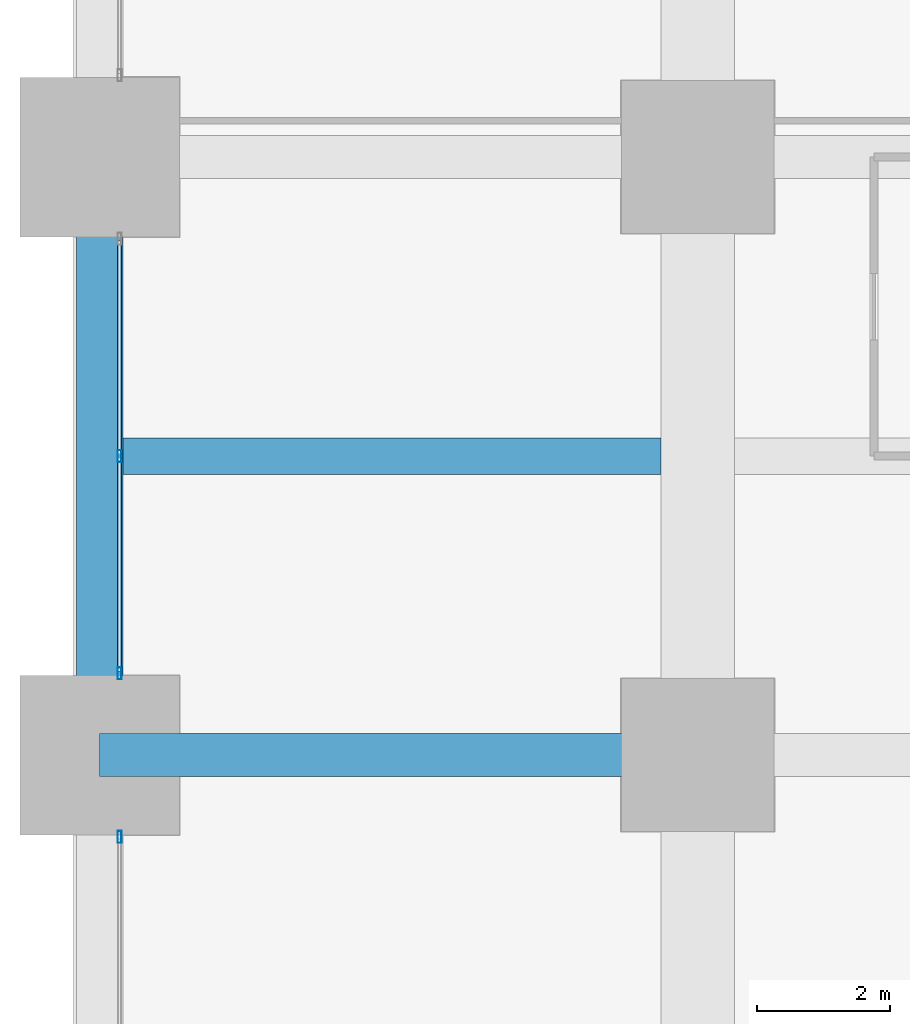
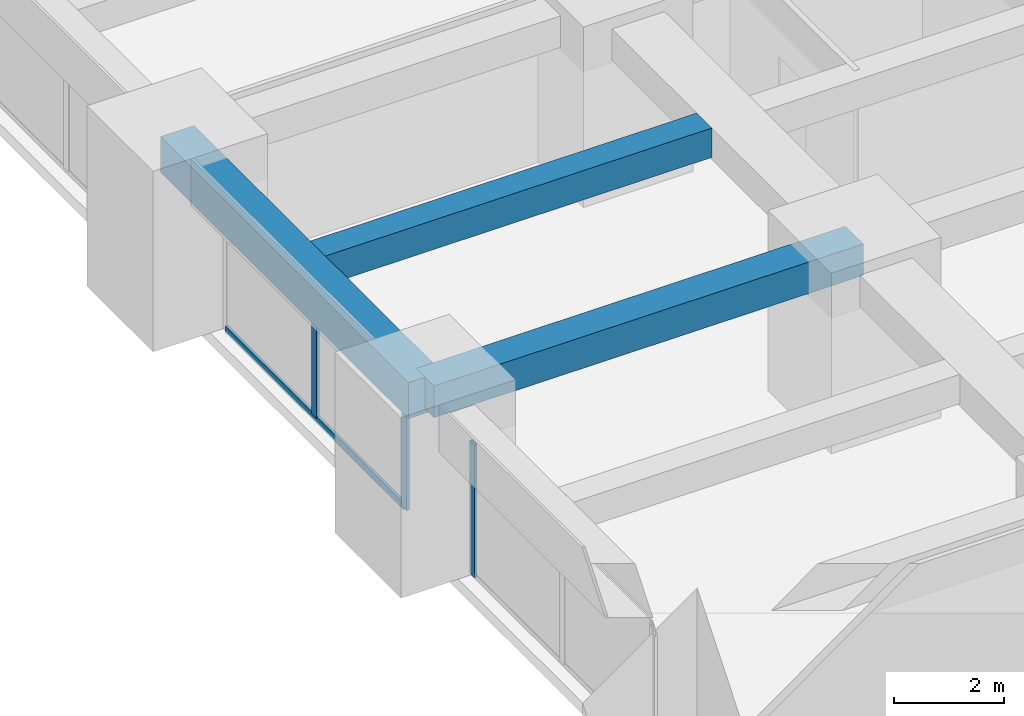
# One storey, part 11 of 45: 4 members, 3 beams, 2 elements without a shape of their own.
"""IFC4 building model written with IfcOpenShell, lengths in metres."""

import ifcopenshell
import ifcopenshell.guid

model = None  # the IFC model being written
_history = None  # IfcOwnerHistory: only IFC2X3 demands one
_inside = {}  # id of a spatial element -> (the spatial element, [elements in it])
_under = {}  # id of a project, library or spatial element -> (it, [spatial elements below it])
_declared = {}  # id of a project -> (the project, [libraries it declares])
_typed = {}  # id of a type object -> (the type object, [elements of that type])
_made_of = {}  # id of a material, layer set ... -> (it, [elements and type objects made of it])


def new_model(schema):
    """Start an empty IFC model of exactly this schema.

    Asked for "IFC4X3", IfcOpenShell would pick the latest addendum, in which some entities
    have other attributes; the version numbers below select the first issue.
    IFC2X3 requires an IfcOwnerHistory on every rooted entity: one is made here for all.
    """
    global model, _history
    if schema == "IFC4X3":
        model = ifcopenshell.file(schema_version=(4, 3, 0, 0))
    else:
        model = ifcopenshell.file(schema=schema)
    _inside.clear()
    _under.clear()
    _declared.clear()
    _typed.clear()
    _made_of.clear()
    _history = None
    if model.schema == "IFC2X3":
        org = make("IfcOrganization", Name="unknown")
        user = make(
            "IfcPersonAndOrganization",
            ThePerson=make("IfcPerson", FamilyName="unknown"),
            TheOrganization=org,
        )
        app = make(
            "IfcApplication",
            ApplicationDeveloper=org,
            Version="unknown",
            ApplicationFullName="unknown",
            ApplicationIdentifier="unknown",
        )
        _history = make(
            "IfcOwnerHistory",
            OwningUser=user,
            OwningApplication=app,
            ChangeAction="ADDED",
            CreationDate=0,
        )
    return model


def make(cls, **values):
    """One entity of the class cls with the attributes given. An attribute that is None is left unset."""
    return model.create_entity(
        cls, **{name: value for name, value in values.items() if value is not None}
    )


def rooted(cls, **values):
    """An entity with a GlobalId (a new one), such as an element, a storey or a relation."""
    return make(cls, GlobalId=ifcopenshell.guid.new(), OwnerHistory=_history, **values)


def si_unit(unit_type, name, prefix=None):
    """IfcSIUnit, for example si_unit("LENGTHUNIT", "METRE", prefix="MILLI")."""
    return make("IfcSIUnit", UnitType=unit_type, Prefix=prefix, Name=name)


def assignment(units):
    """IfcUnitAssignment: the units of a project."""
    return None if units is None else make("IfcUnitAssignment", Units=units)


def point(xyz):
    """IfcCartesianPoint."""
    return None if xyz is None else make("IfcCartesianPoint", Coordinates=xyz)


def direction(xyz):
    """IfcDirection."""
    return None if xyz is None else make("IfcDirection", DirectionRatios=xyz)


def frame(location, z_axis=None, x_axis=None):
    """IfcAxis2Placement3D, a coordinate frame: its origin and axes. An axis left out is left unset."""
    return make(
        "IfcAxis2Placement3D",
        Location=point(location),
        Axis=direction(z_axis),
        RefDirection=direction(x_axis),
    )


def frame_2d(location, x_axis=None):
    """IfcAxis2Placement2D, a coordinate frame in the plane: its origin and x axis."""
    return make(
        "IfcAxis2Placement2D", Location=point(location), RefDirection=direction(x_axis)
    )


def origin():
    """The frame at (0, 0, 0) with its axes left unset."""
    return frame((0.0, 0.0, 0.0))


def origin_2d():
    """The frame at (0, 0) in the plane with its x axis left unset."""
    return frame_2d((0.0, 0.0))


def place(relative_to, where):
    """IfcLocalPlacement: puts the frame where relative to a parent placement (None: the world)."""
    return make(
        "IfcLocalPlacement", PlacementRelTo=relative_to, RelativePlacement=where
    )


def context(
    kind, dimensions, precision=None, world=None, true_north=None, identifier=None
):
    """IfcGeometricRepresentationContext, for example the 3D "Model" context."""
    return make(
        "IfcGeometricRepresentationContext",
        ContextIdentifier=identifier,
        ContextType=kind,
        CoordinateSpaceDimension=dimensions,
        Precision=precision,
        WorldCoordinateSystem=world,
        TrueNorth=true_north,
    )


def subcontext(parent, identifier, kind, view, scale=None):
    """IfcGeometricRepresentationSubContext, for example "Body" below "Model"."""
    return make(
        "IfcGeometricRepresentationSubContext",
        ContextIdentifier=identifier,
        ContextType=kind,
        ParentContext=parent,
        TargetScale=scale,
        TargetView=view,
    )


def project(units=None, contexts=None):
    """IfcProject with its units and contexts."""
    return rooted(
        "IfcProject",
        Name="project",
        RepresentationContexts=contexts,
        UnitsInContext=assignment(units),
    )


def spatial(cls, under=None, at=None, **own):
    """A site, building, storey or space (cls), placed at a placement, below another one or the project."""
    s = rooted(cls, ObjectPlacement=at, **own)
    if under is not None:
        _under.setdefault(under.id(), (under, []))[1].append(s)
    return s


def profile(cls, at=None, kind="AREA", **sizes):
    """A parametric profile (cls). Its sizes go by their IFC names, for example OverallWidth=200.0."""
    return make(cls, ProfileType=kind, Position=at, **sizes)


def rectangle(**sizes):
    """IfcRectangleProfileDef."""
    return profile("IfcRectangleProfileDef", **sizes)


def hollow_rectangle(**sizes):
    """IfcRectangleHollowProfileDef."""
    return profile("IfcRectangleHollowProfileDef", **sizes)


def extrude(swept, where, along, depth):
    """IfcExtrudedAreaSolid: the profile swept, set in the frame where, extruded along a direction by depth."""
    return make(
        "IfcExtrudedAreaSolid",
        SweptArea=swept,
        Position=where,
        ExtrudedDirection=direction(along),
        Depth=depth,
    )


def shape(context_of_items, identifier, shape_type, items):
    """IfcShapeRepresentation: the items that make up one representation, for example the "Body"."""
    return make(
        "IfcShapeRepresentation",
        ContextOfItems=context_of_items,
        RepresentationIdentifier=identifier,
        RepresentationType=shape_type,
        Items=items,
    )


def material(Name=None, Category=None):
    """IfcMaterial."""
    return make("IfcMaterial", Name=Name, Category=Category)


def material_profile(
    of_material, cross_section, Name=None, Category=None, Priority=None
):
    """IfcMaterialProfile: a cross section and its material."""
    return make(
        "IfcMaterialProfile",
        Name=Name,
        Material=of_material,
        Profile=cross_section,
        Priority=Priority,
        Category=Category,
    )


def profile_set(profiles, Name=None, composite=None):
    """IfcMaterialProfileSet."""
    return make(
        "IfcMaterialProfileSet",
        Name=Name,
        MaterialProfiles=profiles,
        CompositeProfile=composite,
    )


def made_of(thing, what):
    """Note that an element or type object is made of a material, layer set ...; save() writes the relation."""
    if what is not None:
        _made_of.setdefault(what.id(), (what, []))[1].append(thing)
    return thing


def type_object(cls, material=None, **own):
    """A type object (cls), such as IfcWallType, which elements share."""
    return made_of(rooted(cls, **own), material)


def element(
    cls,
    number,
    at=None,
    inside=None,
    cuts=None,
    type_object=None,
    material=None,
    context=None,
    identifier="Body",
    shape_type=None,
    held_by="IfcProductDefinitionShape",
    body=None,
    shapes=None,
    **own,
):
    """One element of the class cls, such as IfcWall. Its Tag is "e" and its number.

    at: its placement. inside: the storey or other place that contains it. cuts: it is an
    opening in that element (IfcRelVoidsElement). A single representation is given by context,
    identifier, shape_type and body (its items); several are given by shapes. held_by: the class
    of the entity that holds the representations. save() writes the other relations.
    """
    e = rooted(cls, Tag="e%d" % number, ObjectPlacement=at, **own)
    if body is not None:
        shapes = [shape(context, identifier, shape_type, body)]
    if shapes is not None:
        e.Representation = make(held_by, Representations=shapes)
    if inside is not None:
        _inside.setdefault(inside.id(), (inside, []))[1].append(e)
    if cuts is not None:
        rooted(
            "IfcRelVoidsElement", RelatingBuildingElement=cuts, RelatedOpeningElement=e
        )
    if type_object is not None:
        _typed.setdefault(type_object.id(), (type_object, []))[1].append(e)
    return made_of(e, material)


def aggregate(whole, parts):
    """IfcRelAggregates: a whole, such as a stair, and the parts it consists of."""
    return rooted("IfcRelAggregates", RelatingObject=whole, RelatedObjects=parts)


def save(model, path):
    """Write the relations noted so far, then the file.

    IfcRelAggregates (storeys below a building ...), IfcRelContainedInSpatialStructure (elements
    in a storey), IfcRelDefinesByType, IfcRelAssociatesMaterial and IfcRelDeclares: one each for
    every whole, place, type object, material and project.
    """
    for whole, parts in _under.values():
        aggregate(whole, parts)
    for where, things in _inside.values():
        rooted(
            "IfcRelContainedInSpatialStructure",
            RelatedElements=things,
            RelatingStructure=where,
        )
    for kind, things in _typed.values():
        rooted("IfcRelDefinesByType", RelatedObjects=things, RelatingType=kind)
    for what, things in _made_of.values():
        rooted("IfcRelAssociatesMaterial", RelatedObjects=things, RelatingMaterial=what)
    for by, libraries in _declared.values():
        rooted("IfcRelDeclares", RelatingContext=by, RelatedDefinitions=libraries)
    model.write(path)


model = new_model("IFC4")

# Units and contexts
model_context = context("Model", 3, precision=1e-05, world=origin(), true_north=direction((0.0, 1.0)))
body_context = subcontext(model_context, "Body", "Model", "MODEL_VIEW")
ifc_project = project(units=[si_unit("LENGTHUNIT", "METRE"), si_unit("AREAUNIT", "SQUARE_METRE"), si_unit("VOLUMEUNIT", "CUBIC_METRE"), si_unit("PLANEANGLEUNIT", "RADIAN"), si_unit("MASSUNIT", "GRAM", prefix="KILO")], contexts=[model_context])

# Site, building, storey
site_placement = place(None, origin())
site = spatial("IfcSite", under=ifc_project, at=site_placement, CompositionType="ELEMENT")
building_placement = place(site_placement, origin())
building = spatial("IfcBuilding", under=site, at=building_placement, Name="Zorevar Civic Tower", CompositionType="ELEMENT")
storey_placement = place(building_placement, frame((0.0, 0.0, 47.800048828125)))
storey = spatial("IfcBuildingStorey", under=building, at=storey_placement, Name="L11", CompositionType="ELEMENT", Elevation=47.800048828125)

# Beams
ifc_material_1 = material(Name="Concrete C50/60", Category="concrete")
ifc_material_profile_1 = material_profile(ifc_material_1, rectangle(XDim=0.550048828125, YDim=0.64990234375, at=origin_2d()), Name="RC 550x650")
ifc_profile_set_1 = profile_set([ifc_material_profile_1], Name="Concrete C50/60")
beam_type_1 = type_object("IfcBeamType", Name="Beam RC 550x650", PredefinedType="BEAM", material=ifc_profile_set_1)
beam_1_placement = place(storey_placement, frame((0.35009765625, 31.5, 3.425048828125), z_axis=(1.0, 0.0, 0.0), x_axis=(0.0, 1.0, 0.0)))
element("IfcBeam", 1, at=beam_1_placement, inside=storey, type_object=beam_type_1, Name="Secondary beam L12", PredefinedType="BEAM", context=body_context, shape_type="SweptSolid", body=[
    extrude(rectangle(XDim=0.550048828125, YDim=0.64990234375, at=origin_2d()), origin(), (0.0, 0.0, 1.0), 8.099853515625),
])
ifc_material_2 = material(Name="Concrete C50/60", Category="concrete")
ifc_material_profile_2 = material_profile(ifc_material_2, rectangle(XDim=0.64990234375, YDim=0.699951171875, at=origin_2d()), Name="RC 650x700")
ifc_profile_set_2 = profile_set([ifc_material_profile_2], Name="Concrete C50/60")
beam_type_2 = type_object("IfcBeamType", Name="Beam RC 650x700", PredefinedType="BEAM", material=ifc_profile_set_2)
beam_2_placement = place(storey_placement, frame((0.0, 27.0, 3.39990234375), z_axis=(1.0, 0.0, 0.0), x_axis=(0.0, 1.0, 0.0)))
element("IfcBeam", 2, at=beam_2_placement, inside=storey, type_object=beam_type_2, Name="Girder L12", PredefinedType="BEAM", context=body_context, shape_type="SweptSolid", body=[
    extrude(rectangle(XDim=0.64990234375, YDim=0.699951171875, at=origin_2d()), origin(), (0.0, 0.0, 1.0), 9.0),
])

# Curtain wall, member
ifc_material_3 = material(Name="Dark grey solar-control glass in black aluminium frame", Category="aluminium")
curtain_wall_type = type_object("IfcCurtainWallType", Name="Curtain wall CW2 low zone", PredefinedType="NOTDEFINED", material=ifc_material_3)
curtain_wall_1_placement = place(storey_placement, origin())
curtain_wall_1 = element("IfcCurtainWall", 3, at=curtain_wall_1_placement, inside=storey, type_object=curtain_wall_type, Name="CW2 L11", PredefinedType="NOTDEFINED")
ifc_material_4 = material(Name="Aluminium, black anodised", Category="aluminium")
ifc_material_profile_3 = material_profile(ifc_material_4, hollow_rectangle(XDim=0.06005859375, YDim=0.179931640625, WallThickness=0.00390625, at=origin_2d()), Name="AL 180x60x4")
ifc_profile_set_3 = profile_set([ifc_material_profile_3], Name="Aluminium, black anodised")
member_type_1 = type_object("IfcMemberType", Name="CW2 mullion AL 180x60x4", PredefinedType="MULLION", material=ifc_profile_set_3)
member_1_placement = place(storey_placement, frame((0.300048828125, 25.77001953125, 0.0), z_axis=(0.0, 0.0, 1.0), x_axis=(-1.0, 0.0, 0.0)))
member_1 = element("IfcMember", 4, at=member_1_placement, type_object=member_type_1, Name="CW2 mullion 3", PredefinedType="MULLION", context=body_context, shape_type="SweptSolid", body=[
    extrude(hollow_rectangle(XDim=0.06005859375, YDim=0.179931640625, WallThickness=0.00390625, at=origin_2d()), origin(), (0.0, 0.0, 1.0), 2.949951171875),
])
aggregate(curtain_wall_1, [member_1])

# Curtain wall, members
curtain_wall_2_placement = place(storey_placement, origin())
curtain_wall_2 = element("IfcCurtainWall", 5, at=curtain_wall_2_placement, inside=storey, type_object=curtain_wall_type, Name="CW2 L11", PredefinedType="NOTDEFINED")
member_2_placement = place(storey_placement, frame((0.300048828125, 28.22998046875, 0.0), z_axis=(0.0, 0.0, 1.0), x_axis=(-1.0, 0.0, 0.0)))
member_2 = element("IfcMember", 6, at=member_2_placement, type_object=member_type_1, Name="CW2 mullion 1", PredefinedType="MULLION", context=body_context, shape_type="SweptSolid", body=[
    extrude(hollow_rectangle(XDim=0.06005859375, YDim=0.179931640625, WallThickness=0.00390625, at=origin_2d()), origin(), (0.0, 0.0, 1.0), 2.949951171875),
])
member_3_placement = place(storey_placement, frame((0.300048828125, 31.5, 0.06005859375), z_axis=(0.0, 0.0, 1.0), x_axis=(-1.0, 0.0, 0.0)))
member_3 = element("IfcMember", 7, at=member_3_placement, type_object=member_type_1, Name="CW2 mullion 2", PredefinedType="MULLION", context=body_context, shape_type="SweptSolid", body=[
    extrude(hollow_rectangle(XDim=0.06005859375, YDim=0.179931640625, WallThickness=0.00390625, at=origin_2d()), origin(), (0.0, 0.0, 1.0), 2.889892578125),
])
ifc_material_5 = material(Name="Aluminium, black anodised", Category="aluminium")
ifc_material_profile_4 = material_profile(ifc_material_5, hollow_rectangle(XDim=0.06005859375, YDim=0.14990234375, WallThickness=0.00390625, at=origin_2d()), Name="AL 150x60x4")
ifc_profile_set_4 = profile_set([ifc_material_profile_4], Name="Aluminium, black anodised")
member_type_2 = type_object("IfcMemberType", Name="CW2 transom AL 150x60x4", PredefinedType="USERDEFINED", material=ifc_profile_set_4)
member_4_placement = place(storey_placement, frame((0.300048828125, 28.260009765625, 0.030029296875), z_axis=(0.0, 1.0, 0.0), x_axis=(-1.0, 0.0, 0.0)))
member_4 = element("IfcMember", 8, at=member_4_placement, type_object=member_type_2, Name="CW2 sill transom", ObjectType="TRANSOM", PredefinedType="USERDEFINED", context=body_context, shape_type="SweptSolid", body=[
    extrude(hollow_rectangle(XDim=0.06005859375, YDim=0.14990234375, WallThickness=0.00390625, at=origin_2d()), origin(), (0.0, 0.0, 1.0), 6.47998046875),
])
aggregate(curtain_wall_2, [member_2, member_3, member_4])

# Beam
ifc_material_6 = material(Name="Concrete C50/60", Category="concrete")
ifc_material_profile_5 = material_profile(ifc_material_6, rectangle(XDim=0.699951171875, YDim=0.800048828125, at=origin_2d()), Name="RC 700x800")
ifc_profile_set_5 = profile_set([ifc_material_profile_5], Name="Concrete C50/60")
beam_type_3 = type_object("IfcBeamType", Name="Edge beam RC 700x800", PredefinedType="SPANDREL", material=ifc_profile_set_5)
beam_3_placement = place(storey_placement, frame((0.0, 27.0, 3.349853515625), z_axis=(0.0, 1.0, 0.0), x_axis=(-1.0, 0.0, 0.0)))
element("IfcBeam", 9, at=beam_3_placement, inside=storey, type_object=beam_type_3, Name="Edge beam L12", PredefinedType="SPANDREL", context=body_context, shape_type="SweptSolid", body=[
    extrude(rectangle(XDim=0.699951171875, YDim=0.800048828125, at=origin_2d()), origin(), (0.0, 0.0, 1.0), 9.0),
])

save(model, "model.ifc")
